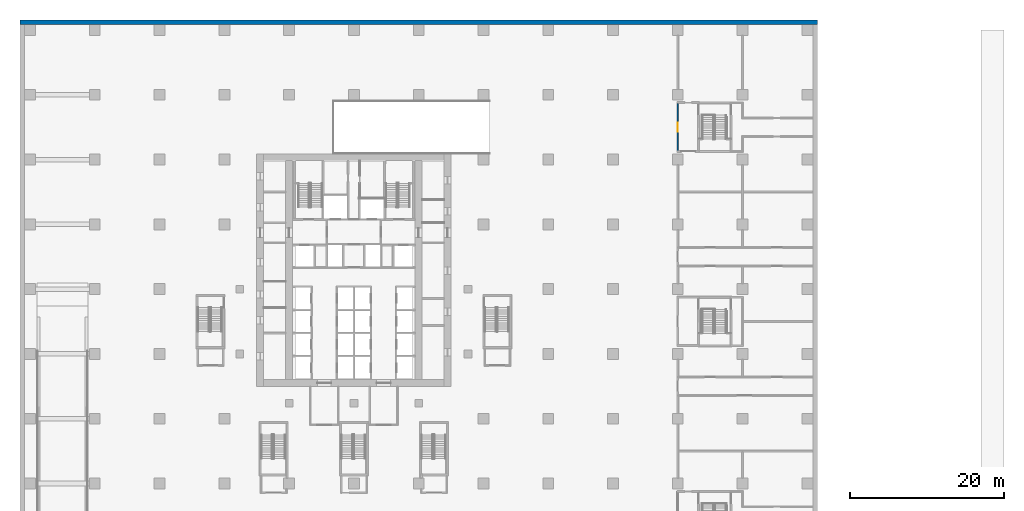
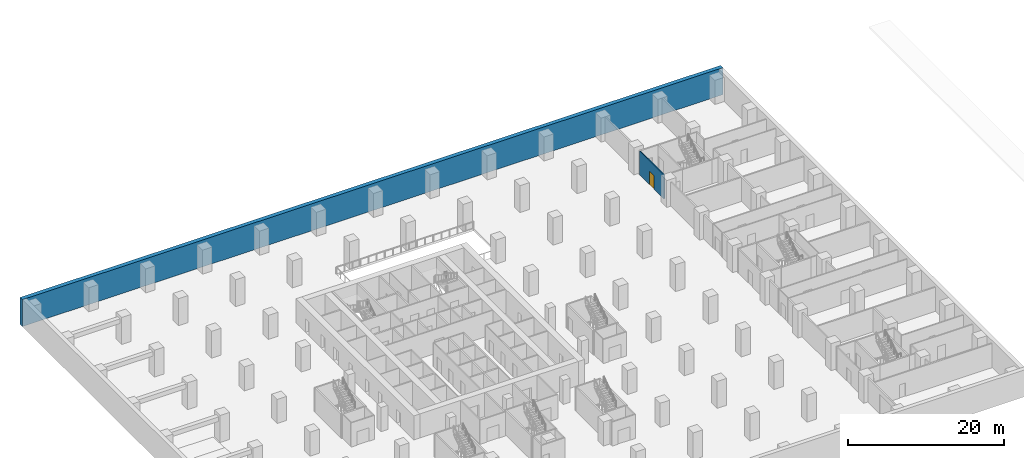
# One storey, part 10 of 17: 2 walls, 1 door, 1 opening.
"""IFC4 building model written with IfcOpenShell, lengths in metres."""

from ifc_helpers import new_model, si_unit, direction, frame, frame_2d, origin, place, context, subcontext, project, spatial, rectangle, extrude, material, layer, layer_set, type_object, element, fill, save


model = new_model("IFC4")

# Units and contexts
model_context = context("Model", 3, precision=1e-05, world=origin(), true_north=direction((0.0, 1.0)))
body_context = subcontext(model_context, "Body", "Model", "MODEL_VIEW")
ifc_project = project(units=[si_unit("LENGTHUNIT", "METRE"), si_unit("AREAUNIT", "SQUARE_METRE"), si_unit("VOLUMEUNIT", "CUBIC_METRE"), si_unit("PLANEANGLEUNIT", "RADIAN"), si_unit("MASSUNIT", "GRAM", prefix="KILO")], contexts=[model_context])

# Site, building, storey
site_placement = place(None, origin())
site = spatial("IfcSite", under=ifc_project, at=site_placement, CompositionType="ELEMENT")
building_placement = place(site_placement, origin())
building = spatial("IfcBuilding", under=site, at=building_placement, Name="Vermilion Ogive Tower", CompositionType="ELEMENT")
storey_placement = place(building_placement, frame((0.0, 0.0, -4.199951171875)))
storey = spatial("IfcBuildingStorey", under=building, at=storey_placement, Name="B1", CompositionType="ELEMENT", Elevation=-4.199951171875)

# Wall
ifc_material_1 = material(Name="Concrete B45", Category="concrete")
ifc_layer_1 = layer(ifc_material_1, 0.60009765625)
ifc_layer_set_1 = layer_set([ifc_layer_1], Name="Basement wall RW600")
wall_type_1 = type_object("IfcWallType", Name="Basement wall RW600", PredefinedType="SOLIDWALL", material=ifc_layer_set_1)
wall_1_placement = place(storey_placement, frame((-43.300048828125, 38.800048828125, 0.0), z_axis=(0.0, 0.0, 1.0), x_axis=(1.0, 0.0, 0.0)))
element("IfcWall", 1, at=wall_1_placement, inside=storey, type_object=wall_type_1, Name="Retaining wall B1 N", PredefinedType="SOLIDWALL", context=body_context, shape_type="SweptSolid", body=[
    extrude(rectangle(XDim=103.400146484375, YDim=0.60009765625, at=frame_2d((51.7001953125, 0.0))), origin(), (0.0, 0.0, 1.0), 4.199951171875),
])

# Wall, opening, door
ifc_material_2 = material(Name="Gypsum board partition on steel studs", Category="steel")
ifc_layer_2 = layer(ifc_material_2, 0.14990234375)
ifc_layer_set_2 = layer_set([ifc_layer_2], Name="Partition 150 corridor")
wall_type_2 = type_object("IfcWallType", Name="Partition 150 corridor", PredefinedType="PARTITIONING", material=ifc_layer_set_2)
wall_2_placement = place(storey_placement, frame((42.0, 22.125, 0.0), z_axis=(0.0, 0.0, 1.0), x_axis=(0.0, 1.0, 0.0)))
wall_2 = element("IfcWall", 2, at=wall_2_placement, inside=storey, type_object=wall_type_2, Name="B1-PK-W-W061", PredefinedType="PARTITIONING", context=body_context, shape_type="SweptSolid", body=[
    extrude(rectangle(XDim=6.14990234375, YDim=0.14990234375, at=frame_2d((3.074951171875, 0.0))), origin(), (0.0, 0.0, 1.0), 3.75),
])
opening_placement = place(wall_2_placement, frame((2.47509765625, 0.0, 0.0)))
opening = element("IfcOpeningElement", 3, at=opening_placement, cuts=wall_2, Name="Opening PK1-11", PredefinedType="OPENING", context=body_context, shape_type="SweptSolid", body=[
    extrude(rectangle(XDim=1.199951171875, YDim=2.10009765625, at=frame_2d((0.60009765625, 1.050048828125))), frame((0.0, 0.0849609375, 0.0), z_axis=(0.0, -1.0, 0.0), x_axis=(1.0, 0.0, 0.0)), (0.0, 0.0, 1.0), 0.169921875),
])
ifc_material_3 = material(Name="Timber door leaf", Category="wood")
door_type = type_object("IfcDoorType", Name="Stair door 1200 x 2100 FD60S", OperationType="SINGLE_SWING_LEFT", PredefinedType="DOOR", material=ifc_material_3)
door_placement = place(opening_placement, origin())
door = element("IfcDoor", 4, at=door_placement, inside=storey, type_object=door_type, Name="B1-PK-D-D011", OperationType="DOUBLE_DOOR_SINGLE_SWING", OverallHeight=2.10009765625, OverallWidth=1.199951171875, PredefinedType="DOOR", context=body_context, shape_type="SweptSolid", body=[
    extrude(rectangle(XDim=1.199951171875, YDim=2.10009765625, at=frame_2d((0.60009765625, 1.050048828125))), frame((0.0, 0.02490234375, 0.0), z_axis=(0.0, -1.0, 0.0), x_axis=(1.0, 0.0, 0.0)), (0.0, 0.0, 1.0), 0.050048828125),
])
fill(opening, door)

save(model, "model.ifc")
